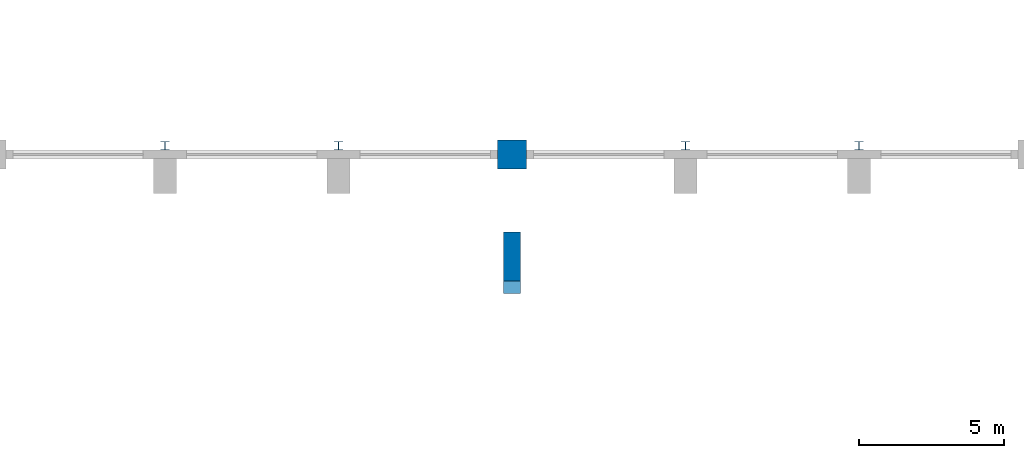
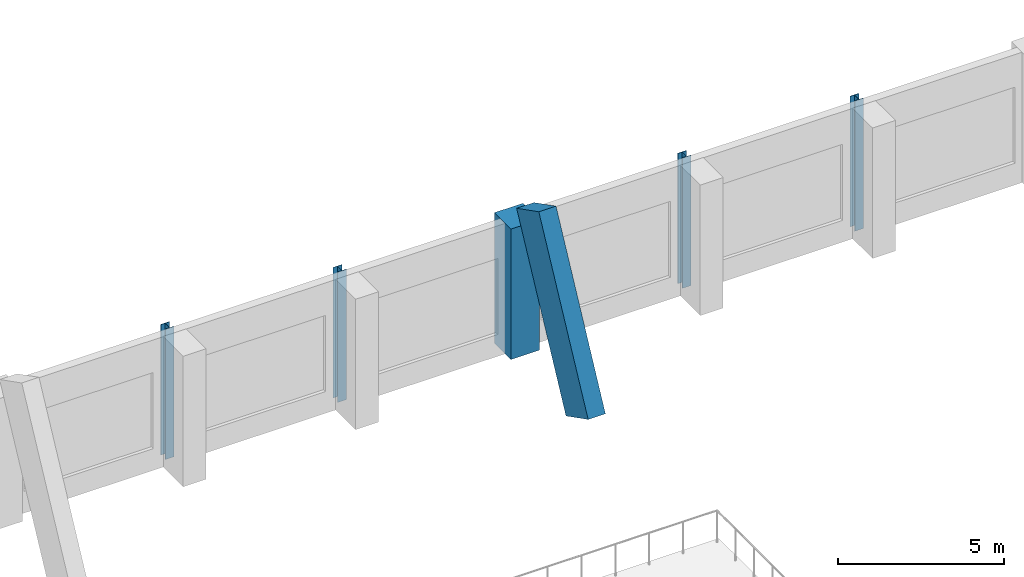
# One storey, part 11 of 182: 6 columns.
"""IFC4 building model written with IfcOpenShell, lengths in metres."""

from ifc_helpers import new_model, si_unit, direction, frame, origin, origin_2d, place, context, subcontext, project, spatial, rectangle, i_section, extrude, material, material_profile, profile_set, type_object, element, save


model = new_model("IFC4")

# Units and contexts
model_context = context("Model", 3, precision=1e-05, world=origin(), true_north=direction((0.0, 1.0)))
body_context = subcontext(model_context, "Body", "Model", "MODEL_VIEW")
ifc_project = project(units=[si_unit("LENGTHUNIT", "METRE"), si_unit("AREAUNIT", "SQUARE_METRE"), si_unit("VOLUMEUNIT", "CUBIC_METRE"), si_unit("PLANEANGLEUNIT", "RADIAN"), si_unit("MASSUNIT", "GRAM", prefix="KILO")], contexts=[model_context])

# Site, building, storey
site_placement = place(None, origin())
site = spatial("IfcSite", under=ifc_project, at=site_placement, CompositionType="ELEMENT")
building_placement = place(site_placement, origin())
building = spatial("IfcBuilding", under=site, at=building_placement, Name="Okhra Congress Centre", CompositionType="ELEMENT")
storey_placement = place(building_placement, frame((0.0, 0.0, 7.199951171875)))
storey = spatial("IfcBuildingStorey", under=building, at=storey_placement, Name="L01", CompositionType="ELEMENT", Elevation=7.199951171875)

# Columns
ifc_material_1 = material(Name="Steel S355J2", Category="steel")
ifc_material_profile_1 = material_profile(ifc_material_1, i_section(OverallWidth=0.300048828125, OverallDepth=0.2900390625, WebThickness=0.008544921875, FlangeThickness=0.013916015625, at=origin_2d()), Name="HE 300 A")
ifc_profile_set_1 = profile_set([ifc_material_profile_1], Name="Steel S355J2")
column_type_1 = type_object("IfcColumnType", Name="HE 300 A", PredefinedType="COLUMN", material=ifc_profile_set_1)
for number, where, z_axis, x_axis, name in (
    (1, (106.0, 132.300048828125, 0.0), (0.0, 0.0, 1.0), (1.0, 0.0, 0.0), "EH.COL.L01.WP9"),
    (2, (112.0, 132.300048828125, 0.0), (0.0, 0.0, 1.0), (1.0, 0.0, 0.0), "EH.COL.L01.WP10"),
    (3, (124.0, 132.300048828125, 0.0), (0.0, 0.0, 1.0), (1.0, 0.0, 0.0), "EH.COL.L01.WP11"),
    (4, (130.0, 132.300048828125, 0.0), (0.0, 0.0, 1.0), (1.0, 0.0, 0.0), "EH.COL.L01.WP12"),
):
    element("IfcColumn", number, at=place(storey_placement, frame(where, z_axis=z_axis, x_axis=x_axis)), inside=storey, type_object=column_type_1, Name=name, PredefinedType="COLUMN", context=body_context, shape_type="SweptSolid", body=[
        extrude(i_section(OverallWidth=0.300048828125, OverallDepth=0.2900390625, WebThickness=0.008544921875, FlangeThickness=0.013916015625, at=origin_2d()), origin(), (0.0, 0.0, 1.0), 4.800048828125),
    ])
ifc_material_2 = material(Name="Concrete C40/50", Category="concrete")
ifc_material_profile_2 = material_profile(ifc_material_2, rectangle(XDim=1.0, YDim=1.0, at=origin_2d()), Name="RC 1000x1000")
ifc_profile_set_2 = profile_set([ifc_material_profile_2], Name="Concrete C40/50")
column_type_2 = type_object("IfcColumnType", Name="RC column 1000x1000 C40/50", PredefinedType="COLUMN", material=ifc_profile_set_2)
column_1_placement = place(storey_placement, frame((118.0, 132.0, 0.0), z_axis=(0.0, 0.0, 1.0), x_axis=(1.0, 0.0, 0.0)))
element("IfcColumn", 5, at=column_1_placement, inside=storey, type_object=column_type_2, Name="EH.COL.L01.SC11", PredefinedType="COLUMN", context=body_context, shape_type="SweptSolid", body=[
    extrude(rectangle(XDim=1.0, YDim=1.0, at=origin_2d()), origin(), (0.0, 0.0, 1.0), 4.800048828125),
])
ifc_material_3 = material(Name="Concrete C35/45", Category="concrete")
ifc_material_profile_3 = material_profile(ifc_material_3, rectangle(XDim=0.60009765625, YDim=1.5, at=origin_2d()), Name="RC 600x1500")
ifc_profile_set_3 = profile_set([ifc_material_profile_3], Name="Concrete C35/45")
column_type_3 = type_object("IfcColumnType", Name="Raking buttress pier RC 600x1500 C35/45", PredefinedType="COLUMN", material=ifc_profile_set_3)
column_2_placement = place(storey_placement, frame((118.0, 127.85595703125, 0.0), z_axis=(0.0, 0.453979342661, 0.891012208916), x_axis=(-1.0, 0.0, 0.0)))
element("IfcColumn", 6, at=column_2_placement, inside=storey, type_object=column_type_3, Name="Buttress pier 6", PredefinedType="COLUMN", context=body_context, shape_type="SweptSolid", body=[
    extrude(rectangle(XDim=0.60009765625, YDim=1.5, at=origin_2d()), origin(), (0.0, 0.0, 1.0), 6.554931640625),
])

save(model, "model.ifc")
